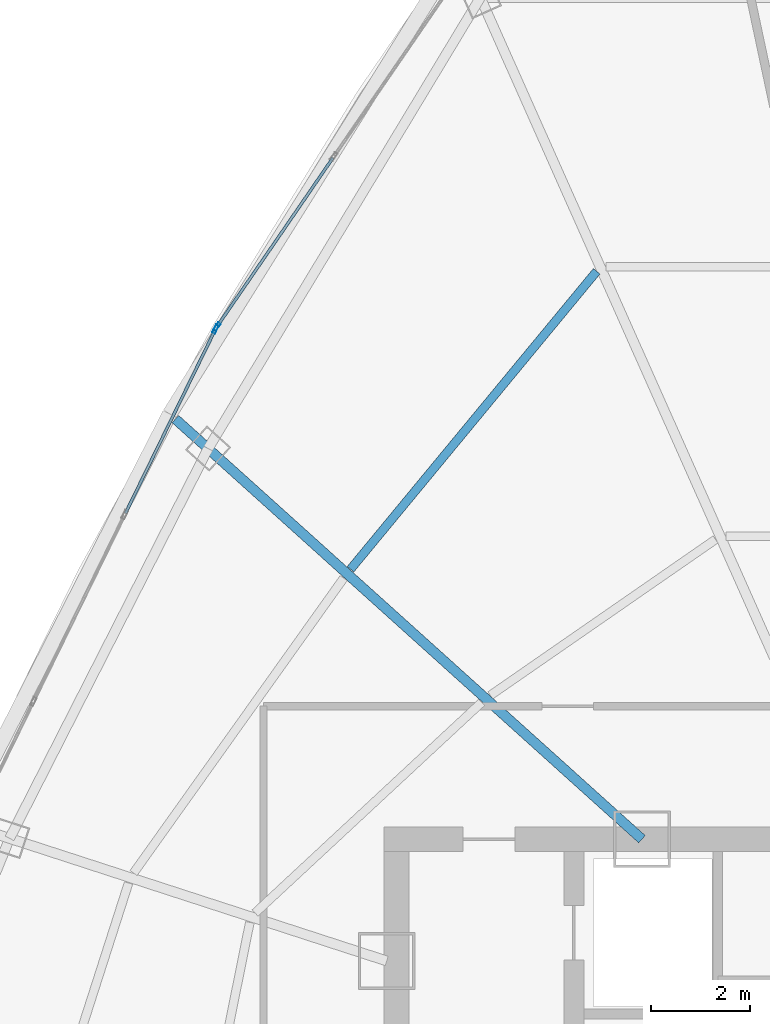
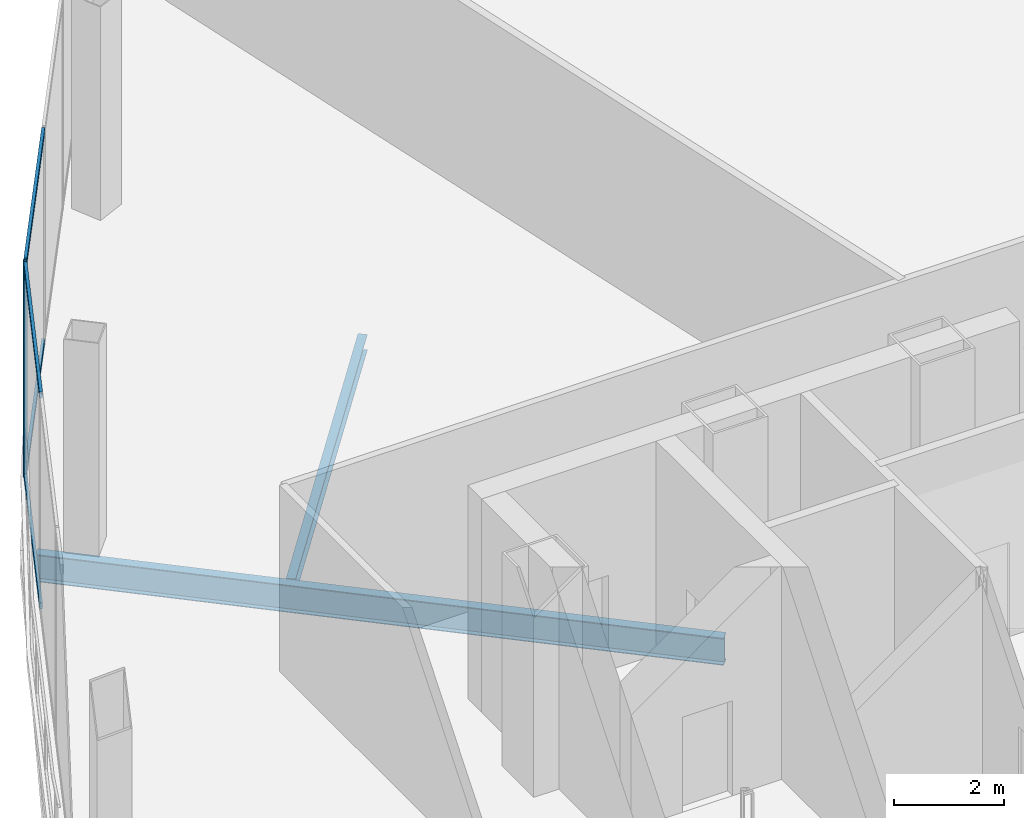
# One storey, part 11 of 33: 6 members, 2 beams, 2 elements without a shape of their own.
"""IFC4 building model written with IfcOpenShell, lengths in metres."""

from ifc_helpers import new_model, si_unit, direction, frame, origin, origin_2d, place, context, subcontext, project, spatial, hollow_rectangle, i_section, extrude, source, transform, mapped, material, layer, layer_set, material_profile, profile_set, type_object, element, aggregate, save


model = new_model("IFC4")

# Units and contexts
model_context = context("Model", 3, precision=1e-05, world=origin(), true_north=direction((0.0, 1.0)))
body_context = subcontext(model_context, "Body", "Model", "MODEL_VIEW")
ifc_project = project(units=[si_unit("LENGTHUNIT", "METRE"), si_unit("AREAUNIT", "SQUARE_METRE"), si_unit("VOLUMEUNIT", "CUBIC_METRE"), si_unit("PLANEANGLEUNIT", "RADIAN"), si_unit("MASSUNIT", "GRAM", prefix="KILO"), si_unit("THERMODYNAMICTEMPERATUREUNIT", "KELVIN"), si_unit("POWERUNIT", "WATT")], contexts=[model_context])

# Site, building, storey
site_placement = place(None, origin())
site = spatial("IfcSite", under=ifc_project, at=site_placement, CompositionType="ELEMENT")
building_placement = place(site_placement, origin())
building = spatial("IfcBuilding", under=site, at=building_placement, Name="Yunzhuo Pagoda Commons", CompositionType="ELEMENT")
storey_placement = place(building_placement, frame((0.0, 0.0, 386.760009765625)))
storey = spatial("IfcBuildingStorey", under=building, at=storey_placement, Name="L96", CompositionType="ELEMENT", Elevation=386.760009765625)

# Beams
ifc_material_1 = material(Name="Structural steel Q355B", Category="steel")
ifc_material_profile_1 = material_profile(ifc_material_1, i_section(OverallWidth=0.175048828125, OverallDepth=0.35009765625, WebThickness=0.007080078125, FlangeThickness=0.010986328125, at=origin_2d()), Name="Structural steel Q355B")
ifc_profile_set_1 = profile_set([ifc_material_profile_1], Name="Structural steel Q355B")
beam_type_1 = type_object("IfcBeamType", Name="B-JS2 Joist HN 350x175x7x11", PredefinedType="JOIST", material=ifc_profile_set_1)
shared_shape_1 = source(origin(), body_context, "Body", "SweptSolid", [
    extrude(i_section(OverallWidth=0.175048828125, OverallDepth=0.35009765625, WebThickness=0.007080078125, FlangeThickness=0.010986328125, at=origin_2d()), origin(), (0.0, 0.0, 1.0), 7.842529296875),
])
beam_1_placement = place(storey_placement, frame((39.861328125, 51.726318359375, -0.455078125), z_axis=(-0.636899145749, -0.770947130577, 0.0), x_axis=(0.770947130577, -0.636899145749, 0.0)))
element("IfcBeam", 1, at=beam_1_placement, inside=storey, type_object=beam_type_1, Name="L96 composite ring joist 2.9", PredefinedType="JOIST", context=body_context, shape_type="MappedRepresentation", body=[
    mapped(shared_shape_1, transform((0.0, 0.0, 0.0), scale=1.0)),
])
ifc_material_profile_2 = material_profile(ifc_material_1, i_section(OverallWidth=0.199951171875, OverallDepth=0.60009765625, WebThickness=0.010986328125, FlangeThickness=0.01708984375, at=origin_2d()), Name="Structural steel Q355B")
ifc_profile_set_2 = profile_set([ifc_material_profile_2], Name="Structural steel Q355B")
beam_type_2 = type_object("IfcBeamType", Name="B-RG3 Beam HN 600x200x11x17", PredefinedType="BEAM", material=ifc_profile_set_2)
shared_shape_2 = source(origin(), body_context, "Body", "SweptSolid", [
    extrude(i_section(OverallWidth=0.199951171875, OverallDepth=0.60009765625, WebThickness=0.010986328125, FlangeThickness=0.01708984375, at=origin_2d()), origin(), (0.0, 0.0, 1.0), 12.744140625),
])
beam_2_placement = place(storey_placement, frame((31.310302734375, 48.7275390625, -0.580078125), z_axis=(0.743139811769, -0.669136174605, 0.0), x_axis=(0.669136174605, 0.743139811769, 0.0)))
element("IfcBeam", 2, at=beam_2_placement, inside=storey, type_object=beam_type_2, Name="L96 radial floor girder F3C2", PredefinedType="BEAM", context=body_context, shape_type="MappedRepresentation", body=[
    mapped(shared_shape_2, transform((0.0, 0.0, 0.0), scale=1.0)),
])

# Curtain wall, member
ifc_material_2 = material(Name="Anodized aluminium 6063-T6", Category="aluminium")
ifc_layer = layer(ifc_material_2, 0.179931640625)
ifc_layer_set = layer_set([ifc_layer], Name="Anodized aluminium 6063-T6")
curtain_wall_type = type_object("IfcCurtainWallType", Name="CW-CRN Crown Gable Glazing System", PredefinedType="NOTDEFINED", material=ifc_layer_set)
curtain_wall_1_placement = place(storey_placement, origin())
curtain_wall_1 = element("IfcCurtainWall", 3, at=curtain_wall_1_placement, inside=storey, type_object=curtain_wall_type, Name="L96 curtain wall CW-L96-CRNF3G1", PredefinedType="NOTDEFINED")
ifc_material_profile_3 = material_profile(ifc_material_2, hollow_rectangle(XDim=0.06494140625, YDim=0.179931640625, WallThickness=0.00390625, at=origin_2d()), Name="Anodized aluminium 6063-T6")
ifc_profile_set_3 = profile_set([ifc_material_profile_3], Name="Anodized aluminium 6063-T6")
member_type_1 = type_object("IfcMemberType", Name="CW-CRN-M Mullion RHS 180x65x4", PredefinedType="MULLION", material=ifc_profile_set_3)
shared_shape_3 = source(origin(), body_context, "Body", "SweptSolid", [
    extrude(hollow_rectangle(XDim=0.06494140625, YDim=0.179931640625, WallThickness=0.00390625, at=origin_2d()), origin(), (0.0, 0.0, 1.0), 4.72021484375),
])
member_1_placement = place(storey_placement, frame((32.15283203125, 50.59912109375, 0.0), z_axis=(0.0, 0.0, 1.0), x_axis=(0.824296116005, -0.566158911561, 0.0)))
member_1 = element("IfcMember", 4, at=member_1_placement, type_object=member_type_1, Name="CW mullion 5", PredefinedType="MULLION", context=body_context, shape_type="MappedRepresentation", body=[
    mapped(shared_shape_3, transform((0.0, 0.0, 0.0), scale=1.0)),
])

# Curtain wall, members
curtain_wall_2_placement = place(storey_placement, origin())
curtain_wall_2 = element("IfcCurtainWall", 5, at=curtain_wall_2_placement, inside=storey, type_object=curtain_wall_type, Name="L96 curtain wall CW-L96-CRNF3G2", PredefinedType="NOTDEFINED")
member_2_placement = place(storey_placement, frame((32.126220703125, 50.55322265625, 0.0), z_axis=(0.0, 0.0, 1.0), x_axis=(0.898299261226, -0.439384156839, 0.0)))
member_2 = element("IfcMember", 6, at=member_2_placement, type_object=member_type_1, Name="CW mullion 1", PredefinedType="MULLION", context=body_context, shape_type="MappedRepresentation", body=[
    mapped(shared_shape_3, transform((0.0, 0.0, 0.0), scale=1.0)),
])
ifc_material_profile_4 = material_profile(ifc_material_2, hollow_rectangle(XDim=0.06005859375, YDim=0.139892578125, WallThickness=0.00341796875, at=origin_2d()), Name="Anodized aluminium 6063-T6")
ifc_profile_set_4 = profile_set([ifc_material_profile_4], Name="Anodized aluminium 6063-T6")
member_type_2 = type_object("IfcMemberType", Name="CW-CRN-T Transom RHS 140x60x3.5", PredefinedType="USERDEFINED", material=ifc_profile_set_4)
shared_shape_4 = source(origin(), body_context, "Body", "SweptSolid", [
    extrude(hollow_rectangle(XDim=0.06005859375, YDim=0.139892578125, WallThickness=0.00341796875, at=origin_2d()), origin(), (0.0, 0.0, 1.0), 4.12548828125),
])
member_3_placement = place(storey_placement, frame((32.1123046875, 50.524169921875, 0.030029296875), z_axis=(-0.439456356664, -0.898263942607, 0.0), x_axis=(0.898263942607, -0.439456356664, 0.0)))
member_3 = element("IfcMember", 7, at=member_3_placement, type_object=member_type_2, Name="CW transom 1.1", ObjectType="TRANSOM", PredefinedType="USERDEFINED", context=body_context, shape_type="MappedRepresentation", body=[
    mapped(shared_shape_4, transform((0.0, 0.0, 0.0), scale=1.0)),
])
member_4_placement = place(storey_placement, frame((32.1123046875, 50.524169921875, 4.68994140625), z_axis=(-0.439456356664, -0.898263942607, 0.0), x_axis=(0.898263942607, -0.439456356664, 0.0)))
member_4 = element("IfcMember", 8, at=member_4_placement, type_object=member_type_2, Name="CW transom 1.2", ObjectType="TRANSOM", PredefinedType="USERDEFINED", context=body_context, shape_type="MappedRepresentation", body=[
    mapped(shared_shape_4, transform((0.0, 0.0, 0.0), scale=1.0)),
])
aggregate(curtain_wall_2, [member_2, member_3, member_4])

# Member
shared_shape_5 = source(origin(), body_context, "Body", "SweptSolid", [
    extrude(hollow_rectangle(XDim=0.06005859375, YDim=0.139892578125, WallThickness=0.00341796875, at=origin_2d()), origin(), (0.0, 0.0, 1.0), 4.125244140625),
])
member_5_placement = place(storey_placement, frame((34.5068359375, 54.0263671875, 0.030029296875), z_axis=(-0.566146975172, -0.824304314258, 0.0), x_axis=(0.824304314258, -0.566146975172, 0.0)))
member_5 = element("IfcMember", 9, at=member_5_placement, type_object=member_type_2, Name="CW transom 4.1", ObjectType="TRANSOM", PredefinedType="USERDEFINED", context=body_context, shape_type="MappedRepresentation", body=[
    mapped(shared_shape_5, transform((0.0, 0.0, 0.0), scale=1.0)),
])

member_6_placement = place(storey_placement, frame((34.5068359375, 54.0263671875, 4.68994140625), z_axis=(-0.566146975172, -0.824304314258, 0.0), x_axis=(0.824304314258, -0.566146975172, 0.0)))
member_6 = element("IfcMember", 10, at=member_6_placement, type_object=member_type_2, Name="CW transom 4.2", ObjectType="TRANSOM", PredefinedType="USERDEFINED", context=body_context, shape_type="MappedRepresentation", body=[
    mapped(shared_shape_5, transform((0.0, 0.0, 0.0), scale=1.0)),
])

aggregate(curtain_wall_1, [member_1, member_5, member_6])

save(model, "model.ifc")
